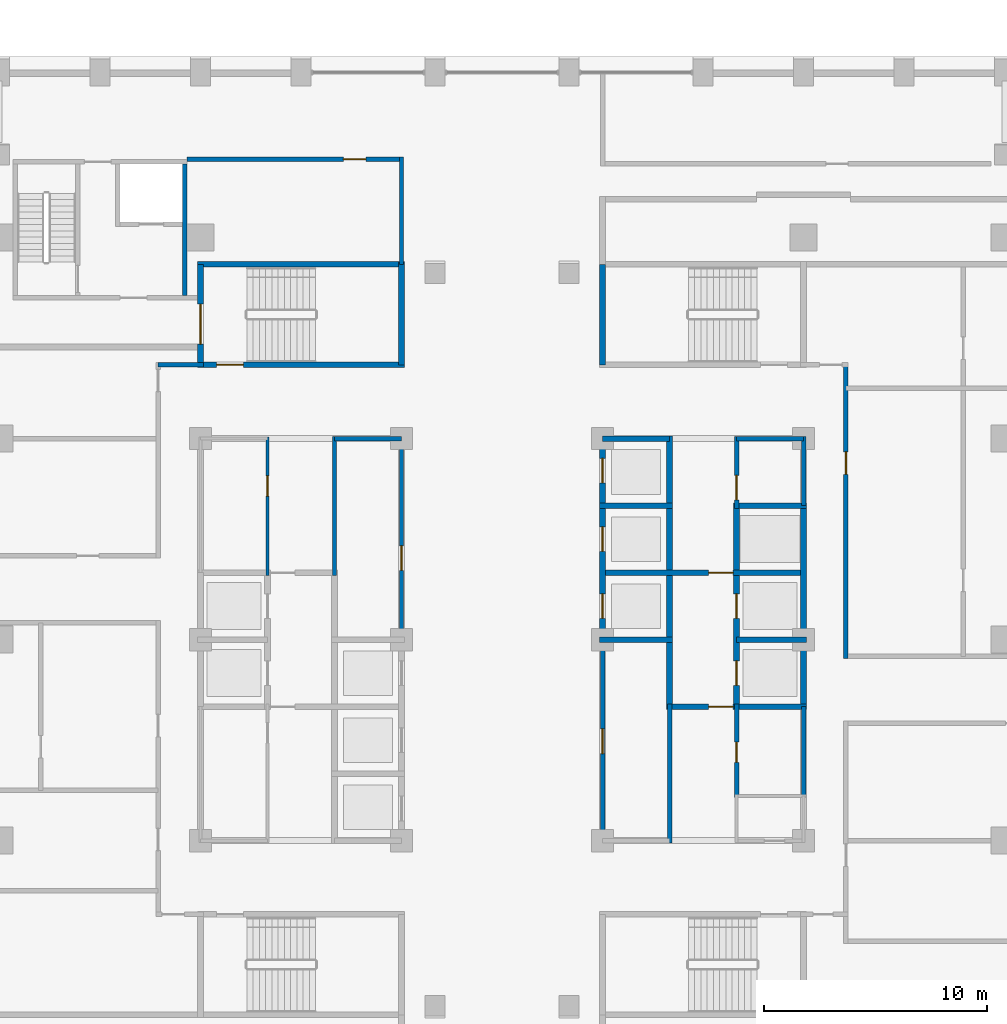
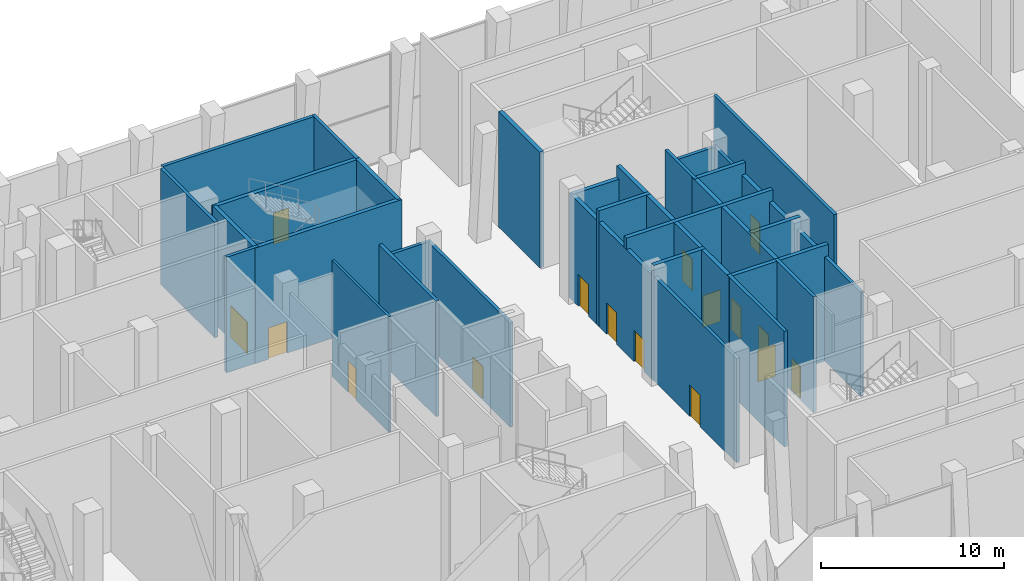
# One storey, part 13 of 24: 32 walls, 16 doors, 16 openings.
"""IFC4 building model written with IfcOpenShell, lengths in metres."""

from ifc_helpers import new_model, si_unit, direction, frame, frame_2d, origin, place, context, subcontext, project, spatial, rectangle, extrude, material, layer, layer_set, type_object, element, fill, save


model = new_model("IFC4")

# Units and contexts
model_context = context("Model", 3, precision=1e-05, world=origin(), true_north=direction((0.0, 1.0)))
body_context = subcontext(model_context, "Body", "Model", "MODEL_VIEW")
ifc_project = project(units=[si_unit("LENGTHUNIT", "METRE"), si_unit("AREAUNIT", "SQUARE_METRE"), si_unit("VOLUMEUNIT", "CUBIC_METRE"), si_unit("PLANEANGLEUNIT", "RADIAN"), si_unit("MASSUNIT", "GRAM", prefix="KILO")], contexts=[model_context])

# Site, building, storey
site_placement = place(None, origin())
site = spatial("IfcSite", under=ifc_project, at=site_placement, CompositionType="ELEMENT")
building_placement = place(site_placement, origin())
building = spatial("IfcBuilding", under=site, at=building_placement, Name="Corbelhall Arena Tower", CompositionType="ELEMENT")
storey_placement = place(building_placement, frame((0.0, 0.0, 60.0)))
storey = spatial("IfcBuildingStorey", under=building, at=storey_placement, Name="L08", CompositionType="ELEMENT", Elevation=60.0)

# Walls
ifc_material_1 = material(Name="Gypsum board on steel stud, acoustic", Category="steel")
ifc_layer_1 = layer(ifc_material_1, 0.199951171875)
ifc_layer_set_1 = layer_set([ifc_layer_1], Name="IN-W-DM200")
wall_type_1 = type_object("IfcWallType", Name="IN-W-DM200", PredefinedType="PARTITIONING", material=ifc_layer_set_1)
wall_1_placement = place(storey_placement, frame((-15.39990234375, 12.300048828125, 0.0), z_axis=(0.0, 0.0, 1.0), x_axis=(1.0, 0.0, 0.0)))
element("IfcWall", 1, at=wall_1_placement, inside=storey, type_object=wall_type_1, Name="Partition 012", PredefinedType="PARTITIONING", context=body_context, shape_type="SweptSolid", body=[
    extrude(rectangle(XDim=2.02490234375, YDim=0.199951171875, at=frame_2d((1.012451171875, 0.0))), origin(), (0.0, 0.0, 1.0), 7.699951171875),
])
wall_2_placement = place(storey_placement, frame((-4.5, 16.800048828125, 0.0), z_axis=(0.0, 0.0, 1.0), x_axis=(0.0, 1.0, 0.0)))
element("IfcWall", 2, at=wall_2_placement, inside=storey, type_object=wall_type_1, Name="Partition 016", PredefinedType="PARTITIONING", context=body_context, shape_type="SweptSolid", body=[
    extrude(rectangle(XDim=4.800048828125, YDim=0.199951171875, at=frame_2d((2.39990234375, 0.0))), origin(), (0.0, 0.0, 1.0), 7.699951171875),
])

# Wall, opening, door
wall_3_placement = place(storey_placement, frame((-4.5, 21.5, 0.0), z_axis=(0.0, 0.0, 1.0), x_axis=(-1.0, 0.0, 0.0)))
wall_3 = element("IfcWall", 3, at=wall_3_placement, inside=storey, type_object=wall_type_1, Name="Partition 017", PredefinedType="PARTITIONING", context=body_context, shape_type="SweptSolid", body=[
    extrude(rectangle(XDim=9.60009765625, YDim=0.199951171875, at=frame_2d((4.800048828125, 0.0))), origin(), (0.0, 0.0, 1.0), 7.699951171875),
])
opening_1_placement = place(wall_3_placement, frame((1.60009765625, 0.0, 0.0)))
opening_1 = element("IfcOpeningElement", 4, at=opening_1_placement, cuts=wall_3, Name="Opening 25020", PredefinedType="OPENING", context=body_context, shape_type="SweptSolid", body=[
    extrude(rectangle(XDim=1.0, YDim=2.10009765625, at=frame_2d((0.5, 1.050048828125))), frame((0.0, 0.10009765625, 0.0), z_axis=(0.0, -1.0, 0.0), x_axis=(1.0, 0.0, 0.0)), (0.0, 0.0, 1.0), 0.199951171875),
])
ifc_material_2 = material(Name="Steel door set", Category="steel")
door_type_1 = type_object("IfcDoorType", Name="IN-D-SW100", OperationType="NOTDEFINED", PredefinedType="DOOR", material=ifc_material_2)
door_1_placement = place(opening_1_placement, origin())
door_1 = element("IfcDoor", 5, at=door_1_placement, inside=storey, type_object=door_type_1, Name="Door 020", OperationType="SINGLE_SWING_LEFT", OverallHeight=2.10009765625, OverallWidth=1.0, PredefinedType="DOOR", context=body_context, shape_type="SweptSolid", body=[
    extrude(rectangle(XDim=1.0, YDim=2.10009765625, at=frame_2d((0.5, 1.050048828125))), frame((0.0, 0.02490234375, 0.0), z_axis=(0.0, -1.0, 0.0), x_axis=(1.0, 0.0, 0.0)), (0.0, 0.0, 1.0), 0.050048828125),
])
fill(opening_1, door_1)

wall_4_placement = place(storey_placement, frame((15.39990234375, 12.300048828125, 0.0), z_axis=(0.0, 0.0, 1.0), x_axis=(0.0, -1.0, 0.0)))
wall_4 = element("IfcWall", 6, at=wall_4_placement, inside=storey, type_object=wall_type_1, Name="Partition 027", PredefinedType="PARTITIONING", context=body_context, shape_type="SweptSolid", body=[
    extrude(rectangle(XDim=13.150146484375, YDim=0.199951171875, at=frame_2d((6.5751953125, 0.0))), origin(), (0.0, 0.0, 1.0), 7.699951171875),
])
opening_2_placement = place(wall_4_placement, frame((3.89990234375, 0.0, 0.0)))
opening_2 = element("IfcOpeningElement", 7, at=opening_2_placement, cuts=wall_4, Name="Opening 25030", PredefinedType="OPENING", context=body_context, shape_type="SweptSolid", body=[
    extrude(rectangle(XDim=1.0, YDim=2.10009765625, at=frame_2d((0.5, 1.050048828125))), frame((0.0, 0.10009765625, 0.0), z_axis=(0.0, -1.0, 0.0), x_axis=(1.0, 0.0, 0.0)), (0.0, 0.0, 1.0), 0.199951171875),
])
door_2_placement = place(opening_2_placement, origin())
door_2 = element("IfcDoor", 8, at=door_2_placement, inside=storey, type_object=door_type_1, Name="Door 030", OperationType="SINGLE_SWING_LEFT", OverallHeight=2.10009765625, OverallWidth=1.0, PredefinedType="DOOR", context=body_context, shape_type="SweptSolid", body=[
    extrude(rectangle(XDim=1.0, YDim=2.10009765625, at=frame_2d((0.5, 1.050048828125))), frame((0.0, 0.02490234375, 0.0), z_axis=(0.0, -1.0, 0.0), x_axis=(1.0, 0.0, 0.0)), (0.0, 0.0, 1.0), 0.050048828125),
])
fill(opening_2, door_2)

# Walls
ifc_material_3 = material(Name="Concrete C40/50", Category="concrete")
ifc_layer_2 = layer(ifc_material_3, 0.199951171875)
ifc_layer_set_2 = layer_set([ifc_layer_2], Name="IN-W-EAR200")
wall_type_2 = type_object("IfcWallType", Name="IN-W-EAR200", PredefinedType="SOLIDWALL", material=ifc_layer_set_2)
wall_5_placement = place(storey_placement, frame((-14.199951171875, 15.39990234375, 0.0), z_axis=(0.0, 0.0, 1.0), x_axis=(0.0, 1.0, 0.0)))
element("IfcWall", 9, at=wall_5_placement, inside=storey, type_object=wall_type_2, Name="Fire service turret wall east", PredefinedType="SOLIDWALL", context=body_context, shape_type="SweptSolid", body=[
    extrude(rectangle(XDim=5.900146484375, YDim=0.199951171875, at=frame_2d((2.9501953125, 0.0))), origin(), (0.0, 0.0, 1.0), 7.699951171875),
])
ifc_material_4 = material(Name="Concrete block wall", Category="concrete")
ifc_layer_3 = layer(ifc_material_4, 0.199951171875)
ifc_layer_set_3 = layer_set([ifc_layer_3], Name="IN-W-RS200")
wall_type_3 = type_object("IfcWallType", Name="IN-W-RS200", PredefinedType="SOLIDWALL", material=ifc_layer_set_3)
for number, where, z_axis, x_axis, name in (
    (10, (-7.5, 2.875, 0.0), (0.0, 0.0, 1.0), (0.0, 1.0, 0.0), "Partition 036"),
    (11, (7.5, -2.875, 0.0), (0.0, 0.0, 1.0), (0.0, -1.0, 0.0), "Partition 041"),
):
    element("IfcWall", number, at=place(storey_placement, frame(where, z_axis=z_axis, x_axis=x_axis)), inside=storey, type_object=wall_type_3, Name=name, PredefinedType="SOLIDWALL", context=body_context, shape_type="SweptSolid", body=[
        extrude(rectangle(XDim=6.22509765625, YDim=0.199951171875, at=frame_2d((3.112548828125, 0.0))), origin(), (0.0, 0.0, 1.0), 7.699951171875),
    ])

# Wall, opening, door
wall_6_placement = place(storey_placement, frame((10.5, -2.875, 0.0), z_axis=(0.0, 0.0, 1.0), x_axis=(0.0, -1.0, 0.0)))
wall_6 = element("IfcWall", 12, at=wall_6_placement, inside=storey, type_object=wall_type_3, Name="Partition 042", PredefinedType="SOLIDWALL", context=body_context, shape_type="SweptSolid", body=[
    extrude(rectangle(XDim=4.199951171875, YDim=0.199951171875, at=frame_2d((2.10009765625, 0.0))), origin(), (0.0, 0.0, 1.0), 7.699951171875),
])
opening_3_placement = place(wall_6_placement, frame((1.719970703125, 0.0, 0.0)))
opening_3 = element("IfcOpeningElement", 13, at=opening_3_placement, cuts=wall_6, Name="Opening 25043", PredefinedType="OPENING", context=body_context, shape_type="SweptSolid", body=[
    extrude(rectangle(XDim=0.89990234375, YDim=2.10009765625, at=frame_2d((0.449951171875, 1.050048828125))), frame((0.0, 0.10009765625, 0.0), z_axis=(0.0, -1.0, 0.0), x_axis=(1.0, 0.0, 0.0)), (0.0, 0.0, 1.0), 0.199951171875),
])
ifc_material_5 = material(Name="Timber door set", Category="wood")
door_type_2 = type_object("IfcDoorType", Name="IN-D-SW90", OperationType="NOTDEFINED", PredefinedType="DOOR", material=ifc_material_5)
door_3_placement = place(opening_3_placement, origin())
door_3 = element("IfcDoor", 14, at=door_3_placement, inside=storey, type_object=door_type_2, Name="Door 043", OperationType="SINGLE_SWING_LEFT", OverallHeight=2.10009765625, OverallWidth=0.89990234375, PredefinedType="DOOR", context=body_context, shape_type="SweptSolid", body=[
    extrude(rectangle(XDim=0.89990234375, YDim=2.10009765625, at=frame_2d((0.449951171875, 1.050048828125))), frame((0.0, 0.02490234375, 0.0), z_axis=(0.0, -1.0, 0.0), x_axis=(1.0, 0.0, 0.0)), (0.0, 0.0, 1.0), 0.050048828125),
])
fill(opening_3, door_3)

wall_7_placement = place(storey_placement, frame((10.5, 9.10009765625, 0.0), z_axis=(0.0, 0.0, 1.0), x_axis=(0.0, -1.0, 0.0)))
wall_7 = element("IfcWall", 15, at=wall_7_placement, inside=storey, type_object=wall_type_3, Name="Partition 044", PredefinedType="SOLIDWALL", context=body_context, shape_type="SweptSolid", body=[
    extrude(rectangle(XDim=3.22509765625, YDim=0.199951171875, at=frame_2d((1.612548828125, 0.0))), origin(), (0.0, 0.0, 1.0), 7.699951171875),
])
opening_4_placement = place(wall_7_placement, frame((1.75, 0.0, 0.0)))
opening_4 = element("IfcOpeningElement", 16, at=opening_4_placement, cuts=wall_7, Name="Opening 25010", PredefinedType="OPENING", context=body_context, shape_type="SweptSolid", body=[
    extrude(rectangle(XDim=1.10009765625, YDim=2.10009765625, at=frame_2d((0.550048828125, 1.050048828125))), frame((0.0, 0.10009765625, 0.0), z_axis=(0.0, -1.0, 0.0), x_axis=(1.0, 0.0, 0.0)), (0.0, 0.0, 1.0), 0.199951171875),
])
door_type_3 = type_object("IfcDoorType", Name="IN-D-FD110", OperationType="NOTDEFINED", PredefinedType="DOOR", material=ifc_material_2)
door_4_placement = place(opening_4_placement, origin())
door_4 = element("IfcDoor", 17, at=door_4_placement, inside=storey, type_object=door_type_3, Name="Door 010", OperationType="SINGLE_SWING_LEFT", OverallHeight=2.10009765625, OverallWidth=1.10009765625, PredefinedType="DOOR", context=body_context, shape_type="SweptSolid", body=[
    extrude(rectangle(XDim=1.10009765625, YDim=2.10009765625, at=frame_2d((0.550048828125, 1.050048828125))), frame((0.0, 0.02490234375, 0.0), z_axis=(0.0, -1.0, 0.0), x_axis=(1.0, 0.0, 0.0)), (0.0, 0.0, 1.0), 0.050048828125),
])
fill(opening_4, door_4)

# Wall
ifc_layer_4 = layer(ifc_material_4, 0.199951171875)
ifc_layer_set_4 = layer_set([ifc_layer_4], Name="IN-W-RS200 under beam 762 mm")
wall_type_4 = type_object("IfcWallType", Name="IN-W-RS200 under beam 762 mm", PredefinedType="SOLIDWALL", material=ifc_layer_set_4)
wall_8_placement = place(storey_placement, frame((-7.5, 9.0, 0.0), z_axis=(0.0, 0.0, 1.0), x_axis=(1.0, 0.0, 0.0)))
element("IfcWall", 18, at=wall_8_placement, inside=storey, type_object=wall_type_4, Name="Partition 037", PredefinedType="SOLIDWALL", context=body_context, shape_type="SweptSolid", body=[
    extrude(rectangle(XDim=3.0, YDim=0.199951171875, at=frame_2d((1.5, 0.0))), origin(), (0.0, 0.0, 1.0), 6.93798828125),
])

# Wall, opening, door
wall_9_placement = place(storey_placement, frame((-4.5, 9.10009765625, 0.0), z_axis=(0.0, 0.0, 1.0), x_axis=(0.0, -1.0, 0.0)))
wall_9 = element("IfcWall", 19, at=wall_9_placement, inside=storey, type_object=wall_type_4, Name="Partition 038", PredefinedType="SOLIDWALL", context=body_context, shape_type="SweptSolid", body=[
    extrude(rectangle(XDim=9.10009765625, YDim=0.199951171875, at=frame_2d((4.550048828125, 0.0))), origin(), (0.0, 0.0, 1.0), 6.93798828125),
])
opening_5_placement = place(wall_9_placement, frame((4.89990234375, 0.0, 0.0)))
opening_5 = element("IfcOpeningElement", 20, at=opening_5_placement, cuts=wall_9, Name="Opening 25001", PredefinedType="OPENING", context=body_context, shape_type="SweptSolid", body=[
    extrude(rectangle(XDim=1.10009765625, YDim=2.10009765625, at=frame_2d((0.550048828125, 1.050048828125))), frame((0.0, 0.10009765625, 0.0), z_axis=(0.0, -1.0, 0.0), x_axis=(1.0, 0.0, 0.0)), (0.0, 0.0, 1.0), 0.199951171875),
])
door_5_placement = place(opening_5_placement, origin())
door_5 = element("IfcDoor", 21, at=door_5_placement, inside=storey, type_object=door_type_3, Name="Door 001", OperationType="SINGLE_SWING_RIGHT", OverallHeight=2.10009765625, OverallWidth=1.10009765625, PredefinedType="DOOR", context=body_context, shape_type="SweptSolid", body=[
    extrude(rectangle(XDim=1.10009765625, YDim=2.10009765625, at=frame_2d((0.550048828125, 1.050048828125))), frame((0.0, 0.02490234375, 0.0), z_axis=(0.0, -1.0, 0.0), x_axis=(1.0, 0.0, 0.0)), (0.0, 0.0, 1.0), 0.050048828125),
])
fill(opening_5, door_5)

wall_10_placement = place(storey_placement, frame((4.5, -9.10009765625, 0.0), z_axis=(0.0, 0.0, 1.0), x_axis=(0.0, 1.0, 0.0)))
wall_10 = element("IfcWall", 22, at=wall_10_placement, inside=storey, type_object=wall_type_4, Name="Partition 039", PredefinedType="SOLIDWALL", context=body_context, shape_type="SweptSolid", body=[
    extrude(rectangle(XDim=9.10009765625, YDim=0.199951171875, at=frame_2d((4.550048828125, 0.0))), origin(), (0.0, 0.0, 1.0), 6.93798828125),
])
opening_6_placement = place(wall_10_placement, frame((4.0, 0.0, 0.0)))
opening_6 = element("IfcOpeningElement", 23, at=opening_6_placement, cuts=wall_10, Name="Opening 25006", PredefinedType="OPENING", context=body_context, shape_type="SweptSolid", body=[
    extrude(rectangle(XDim=1.10009765625, YDim=2.10009765625, at=frame_2d((0.550048828125, 1.050048828125))), frame((0.0, 0.10009765625, 0.0), z_axis=(0.0, -1.0, 0.0), x_axis=(1.0, 0.0, 0.0)), (0.0, 0.0, 1.0), 0.199951171875),
])
door_6_placement = place(opening_6_placement, origin())
door_6 = element("IfcDoor", 24, at=door_6_placement, inside=storey, type_object=door_type_3, Name="Door 006", OperationType="SINGLE_SWING_LEFT", OverallHeight=2.10009765625, OverallWidth=1.10009765625, PredefinedType="DOOR", context=body_context, shape_type="SweptSolid", body=[
    extrude(rectangle(XDim=1.10009765625, YDim=2.10009765625, at=frame_2d((0.550048828125, 1.050048828125))), frame((0.0, 0.02490234375, 0.0), z_axis=(0.0, -1.0, 0.0), x_axis=(1.0, 0.0, 0.0)), (0.0, 0.0, 1.0), 0.050048828125),
])
fill(opening_6, door_6)

# Walls
wall_11_placement = place(storey_placement, frame((10.5, 9.0, 0.0), z_axis=(0.0, 0.0, 1.0), x_axis=(1.0, 0.0, 0.0)))
element("IfcWall", 25, at=wall_11_placement, inside=storey, type_object=wall_type_4, Name="Partition 043", PredefinedType="SOLIDWALL", context=body_context, shape_type="SweptSolid", body=[
    extrude(rectangle(XDim=3.0, YDim=0.199951171875, at=frame_2d((1.5, 0.0))), origin(), (0.0, 0.0, 1.0), 6.93798828125),
])
wall_12_placement = place(storey_placement, frame((13.5, -3.0, 0.0), z_axis=(0.0, 0.0, 1.0), x_axis=(0.0, -1.0, 0.0)))
element("IfcWall", 26, at=wall_12_placement, inside=storey, type_object=wall_type_4, Name="Partition 045", PredefinedType="SOLIDWALL", context=body_context, shape_type="SweptSolid", body=[
    extrude(rectangle(XDim=4.0, YDim=0.199951171875, at=frame_2d((2.0, 0.0))), origin(), (0.0, 0.0, 1.0), 6.93798828125),
])
wall_13_placement = place(storey_placement, frame((13.5, 9.10009765625, 0.0), z_axis=(0.0, 0.0, 1.0), x_axis=(0.0, -1.0, 0.0)))
element("IfcWall", 27, at=wall_13_placement, inside=storey, type_object=wall_type_4, Name="Partition 046", PredefinedType="SOLIDWALL", context=body_context, shape_type="SweptSolid", body=[
    extrude(rectangle(XDim=3.10009765625, YDim=0.199951171875, at=frame_2d((1.550048828125, 0.0))), origin(), (0.0, 0.0, 1.0), 6.93798828125),
])
ifc_layer_5 = layer(ifc_material_3, 0.25)
ifc_layer_set_5 = layer_set([ifc_layer_5], Name="IN-W-SH250")
wall_type_5 = type_object("IfcWallType", Name="IN-W-SH250", PredefinedType="SOLIDWALL", material=ifc_layer_set_5)
wall_14_placement = place(storey_placement, frame((4.375, 0.0, 0.0), z_axis=(0.0, 0.0, 1.0), x_axis=(1.0, 0.0, 0.0)))
element("IfcWall", 28, at=wall_14_placement, inside=storey, type_object=wall_type_5, Name="Shaft wall 068", PredefinedType="SOLIDWALL", context=body_context, shape_type="SweptSolid", body=[
    extrude(rectangle(XDim=3.25, YDim=0.25, at=frame_2d((1.625, 0.0))), origin(), (0.0, 0.0, 1.0), 7.699951171875),
])

# Wall, opening, door
wall_15_placement = place(storey_placement, frame((4.375, 3.0, 0.0), z_axis=(0.0, 0.0, 1.0), x_axis=(1.0, 0.0, 0.0)))
wall_15 = element("IfcWall", 29, at=wall_15_placement, inside=storey, type_object=wall_type_5, Name="Shaft wall 069", PredefinedType="SOLIDWALL", context=body_context, shape_type="SweptSolid", body=[
    extrude(rectangle(XDim=9.25, YDim=0.25, at=frame_2d((4.625, 0.0))), origin(), (0.0, 0.0, 1.0), 7.699951171875),
])
opening_7_placement = place(wall_15_placement, frame((4.875, 0.0, 0.0)))
opening_7 = element("IfcOpeningElement", 30, at=opening_7_placement, cuts=wall_15, Name="Opening 25008", PredefinedType="OPENING", context=body_context, shape_type="SweptSolid", body=[
    extrude(rectangle(XDim=1.10009765625, YDim=2.10009765625, at=frame_2d((0.550048828125, 1.050048828125))), frame((0.0, 0.125, 0.0), z_axis=(0.0, -1.0, 0.0), x_axis=(1.0, 0.0, 0.0)), (0.0, 0.0, 1.0), 0.25),
])
door_7_placement = place(opening_7_placement, origin())
door_7 = element("IfcDoor", 31, at=door_7_placement, inside=storey, type_object=door_type_3, Name="Door 008", OperationType="SINGLE_SWING_LEFT", OverallHeight=2.10009765625, OverallWidth=1.10009765625, PredefinedType="DOOR", context=body_context, shape_type="SweptSolid", body=[
    extrude(rectangle(XDim=1.10009765625, YDim=2.10009765625, at=frame_2d((0.550048828125, 1.050048828125))), frame((0.0, 0.02490234375, 0.0), z_axis=(0.0, -1.0, 0.0), x_axis=(1.0, 0.0, 0.0)), (0.0, 0.0, 1.0), 0.050048828125),
])
fill(opening_7, door_7)

# Wall
wall_16_placement = place(storey_placement, frame((4.375, 6.0, 0.0), z_axis=(0.0, 0.0, 1.0), x_axis=(1.0, 0.0, 0.0)))
element("IfcWall", 32, at=wall_16_placement, inside=storey, type_object=wall_type_5, Name="Shaft wall 070", PredefinedType="SOLIDWALL", context=body_context, shape_type="SweptSolid", body=[
    extrude(rectangle(XDim=3.25, YDim=0.25, at=frame_2d((1.625, 0.0))), origin(), (0.0, 0.0, 1.0), 7.699951171875),
])

# Wall, opening, door
wall_17_placement = place(storey_placement, frame((7.5, -3.0, 0.0), z_axis=(0.0, 0.0, 1.0), x_axis=(1.0, 0.0, 0.0)))
wall_17 = element("IfcWall", 33, at=wall_17_placement, inside=storey, type_object=wall_type_5, Name="Shaft wall 076", PredefinedType="SOLIDWALL", context=body_context, shape_type="SweptSolid", body=[
    extrude(rectangle(XDim=6.125, YDim=0.25, at=frame_2d((3.0625, 0.0))), origin(), (0.0, 0.0, 1.0), 7.699951171875),
])
opening_8_placement = place(wall_17_placement, frame((1.75, 0.0, 0.0)))
opening_8 = element("IfcOpeningElement", 34, at=opening_8_placement, cuts=wall_17, Name="Opening 25007", PredefinedType="OPENING", context=body_context, shape_type="SweptSolid", body=[
    extrude(rectangle(XDim=1.10009765625, YDim=2.10009765625, at=frame_2d((0.550048828125, 1.050048828125))), frame((0.0, 0.125, 0.0), z_axis=(0.0, -1.0, 0.0), x_axis=(1.0, 0.0, 0.0)), (0.0, 0.0, 1.0), 0.25),
])
door_8_placement = place(opening_8_placement, origin())
door_8 = element("IfcDoor", 35, at=door_8_placement, inside=storey, type_object=door_type_3, Name="Door 007", OperationType="SINGLE_SWING_RIGHT", OverallHeight=2.10009765625, OverallWidth=1.10009765625, PredefinedType="DOOR", context=body_context, shape_type="SweptSolid", body=[
    extrude(rectangle(XDim=1.10009765625, YDim=2.10009765625, at=frame_2d((0.550048828125, 1.050048828125))), frame((0.0, 0.02490234375, 0.0), z_axis=(0.0, -1.0, 0.0), x_axis=(1.0, 0.0, 0.0)), (0.0, 0.0, 1.0), 0.050048828125),
])
fill(opening_8, door_8)

# Walls
wall_18_placement = place(storey_placement, frame((7.5, 9.125, 0.0), z_axis=(0.0, 0.0, 1.0), x_axis=(0.0, -1.0, 0.0)))
element("IfcWall", 36, at=wall_18_placement, inside=storey, type_object=wall_type_5, Name="Shaft wall 077", PredefinedType="SOLIDWALL", context=body_context, shape_type="SweptSolid", body=[
    extrude(rectangle(XDim=12.25, YDim=0.25, at=frame_2d((6.125, 0.0))), origin(), (0.0, 0.0, 1.0), 7.699951171875),
])
wall_19_placement = place(storey_placement, frame((10.5, 0.0, 0.0), z_axis=(0.0, 0.0, 1.0), x_axis=(1.0, 0.0, 0.0)))
element("IfcWall", 37, at=wall_19_placement, inside=storey, type_object=wall_type_5, Name="Shaft wall 078", PredefinedType="SOLIDWALL", context=body_context, shape_type="SweptSolid", body=[
    extrude(rectangle(XDim=3.125, YDim=0.25, at=frame_2d((1.5625, 0.0))), origin(), (0.0, 0.0, 1.0), 7.699951171875),
])

# Wall, openings, doors
wall_20_placement = place(storey_placement, frame((10.5, 6.125, 0.0), z_axis=(0.0, 0.0, 1.0), x_axis=(0.0, -1.0, 0.0)))
wall_20 = element("IfcWall", 38, at=wall_20_placement, inside=storey, type_object=wall_type_5, Name="Shaft wall 079", PredefinedType="SOLIDWALL", context=body_context, shape_type="SweptSolid", body=[
    extrude(rectangle(XDim=9.25, YDim=0.25, at=frame_2d((4.625, 0.0))), origin(), (0.0, 0.0, 1.0), 7.699951171875),
])
opening_9_placement = place(wall_20_placement, frame((7.074951171875, 0.0, 0.0)))
opening_9 = element("IfcOpeningElement", 39, at=opening_9_placement, cuts=wall_20, Name="Opening LD", PredefinedType="OPENING", context=body_context, shape_type="SweptSolid", body=[
    extrude(rectangle(XDim=1.10009765625, YDim=2.10009765625, at=frame_2d((0.550048828125, 1.050048828125))), frame((0.0, 0.125, 0.0), z_axis=(0.0, -1.0, 0.0), x_axis=(1.0, 0.0, 0.0)), (0.0, 0.0, 1.0), 0.25),
])
opening_10_placement = place(wall_20_placement, frame((4.074951171875, 0.0, 0.0)))
opening_10 = element("IfcOpeningElement", 40, at=opening_10_placement, cuts=wall_20, Name="Opening LD", PredefinedType="OPENING", context=body_context, shape_type="SweptSolid", body=[
    extrude(rectangle(XDim=1.10009765625, YDim=2.10009765625, at=frame_2d((0.550048828125, 1.050048828125))), frame((0.0, 0.125, 0.0), z_axis=(0.0, -1.0, 0.0), x_axis=(1.0, 0.0, 0.0)), (0.0, 0.0, 1.0), 0.25),
])
door_type_4 = type_object("IfcDoorType", Name="IN-D-LD110", OperationType="NOTDEFINED", PredefinedType="DOOR", material=ifc_material_2)
door_9_placement = place(opening_9_placement, origin())
door_9 = element("IfcDoor", 41, at=door_9_placement, inside=storey, type_object=door_type_4, Name="Landing door E3", OperationType="SLIDING_TO_LEFT", OverallHeight=2.10009765625, OverallWidth=1.10009765625, PredefinedType="DOOR", context=body_context, shape_type="SweptSolid", body=[
    extrude(rectangle(XDim=1.10009765625, YDim=2.10009765625, at=frame_2d((0.550048828125, 1.050048828125))), frame((0.0, 0.02490234375, 0.0), z_axis=(0.0, -1.0, 0.0), x_axis=(1.0, 0.0, 0.0)), (0.0, 0.0, 1.0), 0.050048828125),
])
fill(opening_9, door_9)
door_10_placement = place(opening_10_placement, origin())
door_10 = element("IfcDoor", 42, at=door_10_placement, inside=storey, type_object=door_type_4, Name="Landing door E4", OperationType="SLIDING_TO_LEFT", OverallHeight=2.10009765625, OverallWidth=1.10009765625, PredefinedType="DOOR", context=body_context, shape_type="SweptSolid", body=[
    extrude(rectangle(XDim=1.10009765625, YDim=2.10009765625, at=frame_2d((0.550048828125, 1.050048828125))), frame((0.0, 0.02490234375, 0.0), z_axis=(0.0, -1.0, 0.0), x_axis=(1.0, 0.0, 0.0)), (0.0, 0.0, 1.0), 0.050048828125),
])
fill(opening_10, door_10)

# Wall
wall_21_placement = place(storey_placement, frame((10.5, 6.0, 0.0), z_axis=(0.0, 0.0, 1.0), x_axis=(1.0, 0.0, 0.0)))
element("IfcWall", 43, at=wall_21_placement, inside=storey, type_object=wall_type_5, Name="Shaft wall 080", PredefinedType="SOLIDWALL", context=body_context, shape_type="SweptSolid", body=[
    extrude(rectangle(XDim=3.125, YDim=0.25, at=frame_2d((1.5625, 0.0))), origin(), (0.0, 0.0, 1.0), 7.699951171875),
])

# Wall, openings, doors
ifc_layer_6 = layer(ifc_material_3, 0.25)
ifc_layer_set_6 = layer_set([ifc_layer_6], Name="IN-W-SH250 under beam 762 mm")
wall_type_6 = type_object("IfcWallType", Name="IN-W-SH250 under beam 762 mm", PredefinedType="SOLIDWALL", material=ifc_layer_set_6)
wall_22_placement = place(storey_placement, frame((4.5, 0.0, 0.0), z_axis=(0.0, 0.0, 1.0), x_axis=(0.0, 1.0, 0.0)))
wall_22 = element("IfcWall", 44, at=wall_22_placement, inside=storey, type_object=wall_type_6, Name="Shaft wall 072", PredefinedType="SOLIDWALL", context=body_context, shape_type="SweptSolid", body=[
    extrude(rectangle(XDim=9.125, YDim=0.25, at=frame_2d((4.5625, 0.0))), origin(), (0.0, 0.0, 1.0), 6.93798828125),
])
opening_11_placement = place(wall_22_placement, frame((0.949951171875, 0.0, 0.0)))
opening_11 = element("IfcOpeningElement", 45, at=opening_11_placement, cuts=wall_22, Name="Opening LD", PredefinedType="OPENING", context=body_context, shape_type="SweptSolid", body=[
    extrude(rectangle(XDim=1.10009765625, YDim=2.10009765625, at=frame_2d((0.550048828125, 1.050048828125))), frame((0.0, 0.125, 0.0), z_axis=(0.0, -1.0, 0.0), x_axis=(1.0, 0.0, 0.0)), (0.0, 0.0, 1.0), 0.25),
])
opening_12_placement = place(wall_22_placement, frame((3.949951171875, 0.0, 0.0)))
opening_12 = element("IfcOpeningElement", 46, at=opening_12_placement, cuts=wall_22, Name="Opening LD", PredefinedType="OPENING", context=body_context, shape_type="SweptSolid", body=[
    extrude(rectangle(XDim=1.10009765625, YDim=2.10009765625, at=frame_2d((0.550048828125, 1.050048828125))), frame((0.0, 0.125, 0.0), z_axis=(0.0, -1.0, 0.0), x_axis=(1.0, 0.0, 0.0)), (0.0, 0.0, 1.0), 0.25),
])
opening_13_placement = place(wall_22_placement, frame((7.012451171875, 0.0, 0.0)))
opening_13 = element("IfcOpeningElement", 47, at=opening_13_placement, cuts=wall_22, Name="Opening LD", PredefinedType="OPENING", context=body_context, shape_type="SweptSolid", body=[
    extrude(rectangle(XDim=1.10009765625, YDim=2.10009765625, at=frame_2d((0.550048828125, 1.050048828125))), frame((0.0, 0.125, 0.0), z_axis=(0.0, -1.0, 0.0), x_axis=(1.0, 0.0, 0.0)), (0.0, 0.0, 1.0), 0.25),
])
door_11_placement = place(opening_11_placement, origin())
door_11 = element("IfcDoor", 48, at=door_11_placement, inside=storey, type_object=door_type_4, Name="Landing door E4", OperationType="SLIDING_TO_LEFT", OverallHeight=2.10009765625, OverallWidth=1.10009765625, PredefinedType="DOOR", context=body_context, shape_type="SweptSolid", body=[
    extrude(rectangle(XDim=1.10009765625, YDim=2.10009765625, at=frame_2d((0.550048828125, 1.050048828125))), frame((0.0, 0.02490234375, 0.0), z_axis=(0.0, -1.0, 0.0), x_axis=(1.0, 0.0, 0.0)), (0.0, 0.0, 1.0), 0.050048828125),
])
fill(opening_11, door_11)
door_12_placement = place(opening_12_placement, origin())
door_12 = element("IfcDoor", 49, at=door_12_placement, inside=storey, type_object=door_type_4, Name="Landing door E5", OperationType="SLIDING_TO_LEFT", OverallHeight=2.10009765625, OverallWidth=1.10009765625, PredefinedType="DOOR", context=body_context, shape_type="SweptSolid", body=[
    extrude(rectangle(XDim=1.10009765625, YDim=2.10009765625, at=frame_2d((0.550048828125, 1.050048828125))), frame((0.0, 0.02490234375, 0.0), z_axis=(0.0, -1.0, 0.0), x_axis=(1.0, 0.0, 0.0)), (0.0, 0.0, 1.0), 0.050048828125),
])
fill(opening_12, door_12)
door_13_placement = place(opening_13_placement, origin())
door_13 = element("IfcDoor", 50, at=door_13_placement, inside=storey, type_object=door_type_4, Name="Landing door E6", OperationType="SLIDING_TO_LEFT", OverallHeight=2.10009765625, OverallWidth=1.10009765625, PredefinedType="DOOR", context=body_context, shape_type="SweptSolid", body=[
    extrude(rectangle(XDim=1.10009765625, YDim=2.10009765625, at=frame_2d((0.550048828125, 1.050048828125))), frame((0.0, 0.02490234375, 0.0), z_axis=(0.0, -1.0, 0.0), x_axis=(1.0, 0.0, 0.0)), (0.0, 0.0, 1.0), 0.050048828125),
])
fill(opening_13, door_13)

# Walls
wall_23_placement = place(storey_placement, frame((4.5, 9.0, 0.0), z_axis=(0.0, 0.0, 1.0), x_axis=(1.0, 0.0, 0.0)))
element("IfcWall", 51, at=wall_23_placement, inside=storey, type_object=wall_type_6, Name="Shaft wall 073", PredefinedType="SOLIDWALL", context=body_context, shape_type="SweptSolid", body=[
    extrude(rectangle(XDim=3.0, YDim=0.25, at=frame_2d((1.5, 0.0))), origin(), (0.0, 0.0, 1.0), 6.93798828125),
])
wall_24_placement = place(storey_placement, frame((13.5, 6.0, 0.0), z_axis=(0.0, 0.0, 1.0), x_axis=(0.0, -1.0, 0.0)))
element("IfcWall", 52, at=wall_24_placement, inside=storey, type_object=wall_type_6, Name="Shaft wall 084", PredefinedType="SOLIDWALL", context=body_context, shape_type="SweptSolid", body=[
    extrude(rectangle(XDim=9.0, YDim=0.25, at=frame_2d((4.5, 0.0))), origin(), (0.0, 0.0, 1.0), 6.93798828125),
])

# Wall, opening, door
ifc_layer_7 = layer(ifc_material_3, 0.25)
ifc_layer_set_7 = layer_set([ifc_layer_7], Name="IN-W-ST250")
wall_type_7 = type_object("IfcWallType", Name="IN-W-ST250", PredefinedType="SOLIDWALL", material=ifc_layer_set_7)
wall_25_placement = place(storey_placement, frame((-13.625, 12.300048828125, 0.0), z_axis=(0.0, 0.0, 1.0), x_axis=(1.0, 0.0, 0.0)))
wall_25 = element("IfcWall", 53, at=wall_25_placement, inside=storey, type_object=wall_type_7, Name="Shaft wall 101", PredefinedType="SOLIDWALL", context=body_context, shape_type="SweptSolid", body=[
    extrude(rectangle(XDim=9.25, YDim=0.25, at=frame_2d((4.625, 0.0))), origin(), (0.0, 0.0, 1.0), 7.699951171875),
])
opening_14_placement = place(wall_25_placement, frame((0.85009765625, 0.0, 0.0)))
opening_14 = element("IfcOpeningElement", 54, at=opening_14_placement, cuts=wall_25, Name="Opening 25012", PredefinedType="OPENING", context=body_context, shape_type="SweptSolid", body=[
    extrude(rectangle(XDim=1.199951171875, YDim=2.10009765625, at=frame_2d((0.60009765625, 1.050048828125))), frame((0.0, 0.125, 0.0), z_axis=(0.0, -1.0, 0.0), x_axis=(1.0, 0.0, 0.0)), (0.0, 0.0, 1.0), 0.25),
])
door_type_5 = type_object("IfcDoorType", Name="IN-D-ST120", OperationType="NOTDEFINED", PredefinedType="DOOR", material=ifc_material_2)
door_14_placement = place(opening_14_placement, origin())
door_14 = element("IfcDoor", 55, at=door_14_placement, inside=storey, type_object=door_type_5, Name="Door 012", OperationType="SINGLE_SWING_LEFT", OverallHeight=2.10009765625, OverallWidth=1.199951171875, PredefinedType="DOOR", context=body_context, shape_type="SweptSolid", body=[
    extrude(rectangle(XDim=1.199951171875, YDim=2.10009765625, at=frame_2d((0.60009765625, 1.050048828125))), frame((0.0, 0.02490234375, 0.0), z_axis=(0.0, -1.0, 0.0), x_axis=(1.0, 0.0, 0.0)), (0.0, 0.0, 1.0), 0.050048828125),
])
fill(opening_14, door_14)

# Wall
wall_26_placement = place(storey_placement, frame((-13.625, 16.800048828125, 0.0), z_axis=(0.0, 0.0, 1.0), x_axis=(1.0, 0.0, 0.0)))
element("IfcWall", 56, at=wall_26_placement, inside=storey, type_object=wall_type_7, Name="Shaft wall 102", PredefinedType="SOLIDWALL", context=body_context, shape_type="SweptSolid", body=[
    extrude(rectangle(XDim=9.22509765625, YDim=0.25, at=frame_2d((4.612548828125, 0.0))), origin(), (0.0, 0.0, 1.0), 7.699951171875),
])

# Wall, opening, door
wall_27_placement = place(storey_placement, frame((-13.5, 12.300048828125, 0.0), z_axis=(0.0, 0.0, 1.0), x_axis=(0.0, 1.0, 0.0)))
wall_27 = element("IfcWall", 57, at=wall_27_placement, inside=storey, type_object=wall_type_7, Name="Shaft wall 104", PredefinedType="SOLIDWALL", context=body_context, shape_type="SweptSolid", body=[
    extrude(rectangle(XDim=4.5, YDim=0.25, at=frame_2d((2.25, 0.0))), origin(), (0.0, 0.0, 1.0), 7.699951171875),
])
opening_15_placement = place(wall_27_placement, frame((0.925048828125, 0.0, 0.0)))
opening_15 = element("IfcOpeningElement", 58, at=opening_15_placement, cuts=wall_27, Name="Opening 25011", PredefinedType="OPENING", context=body_context, shape_type="SweptSolid", body=[
    extrude(rectangle(XDim=1.800048828125, YDim=2.10009765625, at=frame_2d((0.89990234375, 1.050048828125))), frame((0.0, 0.125, 0.0), z_axis=(0.0, -1.0, 0.0), x_axis=(1.0, 0.0, 0.0)), (0.0, 0.0, 1.0), 0.25),
])
door_type_6 = type_object("IfcDoorType", Name="IN-D-EX180", OperationType="NOTDEFINED", PredefinedType="DOOR", material=ifc_material_2)
door_15_placement = place(opening_15_placement, origin())
door_15 = element("IfcDoor", 59, at=door_15_placement, inside=storey, type_object=door_type_6, Name="Door 011", OperationType="SINGLE_SWING_RIGHT", OverallHeight=2.10009765625, OverallWidth=1.800048828125, PredefinedType="DOOR", context=body_context, shape_type="SweptSolid", body=[
    extrude(rectangle(XDim=1.800048828125, YDim=2.10009765625, at=frame_2d((0.89990234375, 1.050048828125))), frame((0.0, 0.02490234375, 0.0), z_axis=(0.0, -1.0, 0.0), x_axis=(1.0, 0.0, 0.0)), (0.0, 0.0, 1.0), 0.050048828125),
])
fill(opening_15, door_15)

# Walls
wall_28_placement = place(storey_placement, frame((-4.5, 16.925048828125, 0.0), z_axis=(0.0, 0.0, 1.0), x_axis=(0.0, -1.0, 0.0)))
element("IfcWall", 60, at=wall_28_placement, inside=storey, type_object=wall_type_7, Name="Shaft wall 106", PredefinedType="SOLIDWALL", context=body_context, shape_type="SweptSolid", body=[
    extrude(rectangle(XDim=4.625, YDim=0.25, at=frame_2d((2.3125, 0.0))), origin(), (0.0, 0.0, 1.0), 7.699951171875),
])
wall_29_placement = place(storey_placement, frame((4.5, 12.300048828125, 0.0), z_axis=(0.0, 0.0, 1.0), x_axis=(0.0, 1.0, 0.0)))
element("IfcWall", 61, at=wall_29_placement, inside=storey, type_object=wall_type_7, Name="Shaft wall 112", PredefinedType="SOLIDWALL", context=body_context, shape_type="SweptSolid", body=[
    extrude(rectangle(XDim=4.5, YDim=0.25, at=frame_2d((2.25, 0.0))), origin(), (0.0, 0.0, 1.0), 7.699951171875),
])

# Wall, opening, door
ifc_material_6 = material(Name="Gypsum board on steel stud, moisture resistant", Category="steel")
ifc_layer_8 = layer(ifc_material_6, 0.14990234375)
ifc_layer_set_8 = layer_set([ifc_layer_8], Name="IN-W-WC150")
wall_type_8 = type_object("IfcWallType", Name="IN-W-WC150", PredefinedType="PARTITIONING", material=ifc_layer_set_8)
wall_30_placement = place(storey_placement, frame((-10.5, 2.875, 0.0), z_axis=(0.0, 0.0, 1.0), x_axis=(0.0, 1.0, 0.0)))
wall_30 = element("IfcWall", 62, at=wall_30_placement, inside=storey, type_object=wall_type_8, Name="Partition 128", PredefinedType="PARTITIONING", context=body_context, shape_type="SweptSolid", body=[
    extrude(rectangle(XDim=6.199951171875, YDim=0.14990234375, at=frame_2d((3.10009765625, 0.0))), origin(), (0.0, 0.0, 1.0), 7.699951171875),
])
opening_16_placement = place(wall_30_placement, frame((3.550048828125, 0.0, 0.0)))
opening_16 = element("IfcOpeningElement", 63, at=opening_16_placement, cuts=wall_30, Name="Opening 25005", PredefinedType="OPENING", context=body_context, shape_type="SweptSolid", body=[
    extrude(rectangle(XDim=0.89990234375, YDim=2.10009765625, at=frame_2d((0.449951171875, 1.050048828125))), frame((0.0, 0.074951171875, 0.0), z_axis=(0.0, -1.0, 0.0), x_axis=(1.0, 0.0, 0.0)), (0.0, 0.0, 1.0), 0.14990234375),
])
door_16_placement = place(opening_16_placement, origin())
door_16 = element("IfcDoor", 64, at=door_16_placement, inside=storey, type_object=door_type_2, Name="Door 005", OperationType="SINGLE_SWING_RIGHT", OverallHeight=2.10009765625, OverallWidth=0.89990234375, PredefinedType="DOOR", context=body_context, shape_type="SweptSolid", body=[
    extrude(rectangle(XDim=0.89990234375, YDim=2.10009765625, at=frame_2d((0.449951171875, 1.050048828125))), frame((0.0, 0.02490234375, 0.0), z_axis=(0.0, -1.0, 0.0), x_axis=(1.0, 0.0, 0.0)), (0.0, 0.0, 1.0), 0.050048828125),
])
fill(opening_16, door_16)

save(model, "model.ifc")
